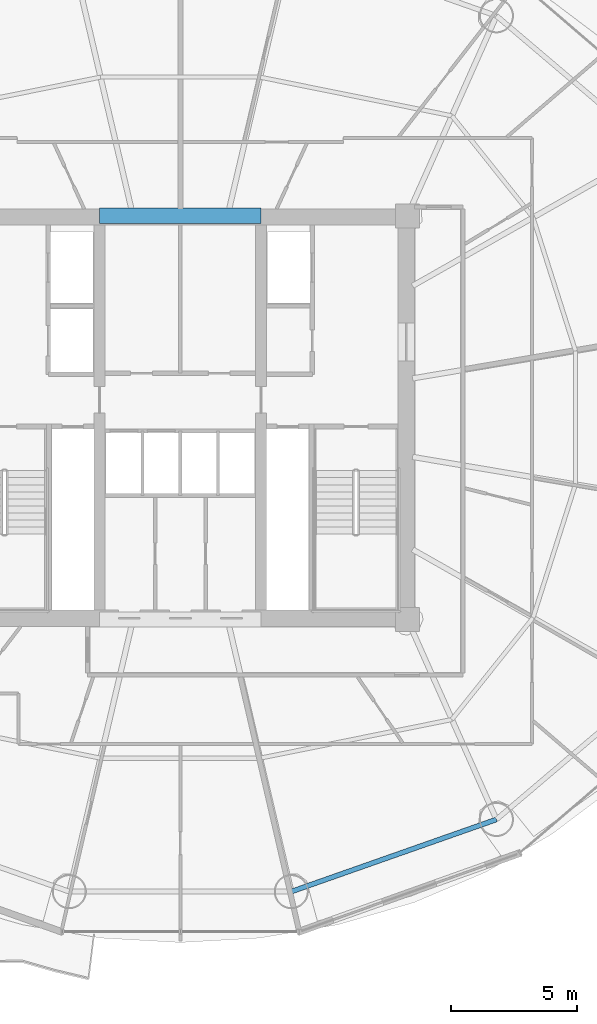
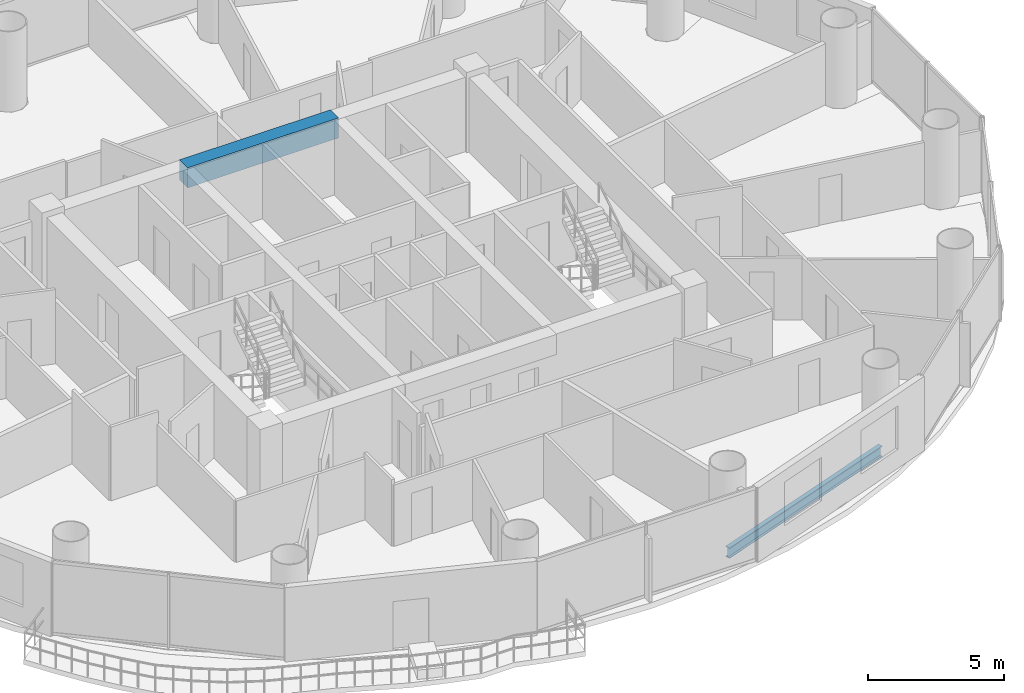
# One storey, part 9 of 26: 2 beams.
"""IFC4 building model written with IfcOpenShell, lengths in metres."""

from ifc_helpers import new_model, si_unit, direction, frame, origin, origin_2d, place, context, subcontext, project, spatial, rectangle, i_section, extrude, material, material_profile, profile_set, type_object, element, save


model = new_model("IFC4")

# Units and contexts
model_context = context("Model", 3, precision=1e-05, world=origin(), true_north=direction((-0.2419218956, 0.970295726276)))
body_context = subcontext(model_context, "Body", "Model", "MODEL_VIEW")
ifc_project = project(units=[si_unit("LENGTHUNIT", "METRE"), si_unit("AREAUNIT", "SQUARE_METRE"), si_unit("VOLUMEUNIT", "CUBIC_METRE"), si_unit("PLANEANGLEUNIT", "RADIAN"), si_unit("MASSUNIT", "GRAM", prefix="KILO")], contexts=[model_context])

# Site, building, storey
site_placement = place(None, origin())
site = spatial("IfcSite", under=ifc_project, at=site_placement, CompositionType="ELEMENT")
building_placement = place(site_placement, origin())
building = spatial("IfcBuilding", under=site, at=building_placement, Name="Cobrevalo Terracotta Tower", CompositionType="ELEMENT")
storey_placement = place(building_placement, frame((0.0, 0.0, 135.39990234375)))
storey = spatial("IfcBuildingStorey", under=building, at=storey_placement, Name="L35", CompositionType="ELEMENT", Elevation=135.39990234375)

# Beams
ifc_material_1 = material(Name="Concrete C60", Category="concrete")
ifc_material_profile_1 = material_profile(ifc_material_1, rectangle(XDim=0.60009765625, YDim=0.89990234375, at=origin_2d()), Name="RC CB 600x900")
ifc_profile_set_1 = profile_set([ifc_material_profile_1], Name="Concrete C60")
beam_type_1 = type_object("IfcBeamType", Name="Structural Beam RC CB 600x900 (Concrete C60)", PredefinedType="BEAM", material=ifc_profile_set_1)
beam_1_placement = place(storey_placement, frame((34.800048828125, 34.800048828125, 2.880126953125), z_axis=(1.0, 0.0, 0.0), x_axis=(0.0, 1.0, 0.0)))
element("IfcBeam", 1, at=beam_1_placement, inside=storey, type_object=beam_type_1, Name="L35 core coupling beam 2", PredefinedType="BEAM", context=body_context, shape_type="SweptSolid", body=[
    extrude(rectangle(XDim=0.60009765625, YDim=0.89990234375, at=origin_2d()), origin(), (0.0, 0.0, 1.0), 6.39990234375),
])
ifc_material_2 = material(Name="Steel S355", Category="steel")
ifc_material_profile_2 = material_profile(ifc_material_2, i_section(OverallWidth=0.194091796875, OverallDepth=0.468994140625, WebThickness=0.011474609375, FlangeThickness=0.0205078125, at=origin_2d()), Name="W 460x106")
ifc_profile_set_2 = profile_set([ifc_material_profile_2], Name="Steel S355")
beam_type_2 = type_object("IfcBeamType", Name="Structural Spandrel W 460x106 (Steel S355)", PredefinedType="SPANDREL", material=ifc_profile_set_2)
beam_2_placement = place(storey_placement, frame((42.399169921875, 8.01806640625, -0.50439453125), z_axis=(0.943341298492, 0.331824041565, 0.0), x_axis=(-0.331824041565, 0.943341298492, 0.0)))
element("IfcBeam", 2, at=beam_2_placement, inside=storey, type_object=beam_type_2, Name="L35 perimeter ring spandrel 13", PredefinedType="SPANDREL", context=body_context, shape_type="SweptSolid", body=[
    extrude(i_section(OverallWidth=0.194091796875, OverallDepth=0.468994140625, WebThickness=0.011474609375, FlangeThickness=0.0205078125, at=origin_2d()), origin(), (0.0, 0.0, 1.0), 8.6171875),
])

save(model, "model.ifc")
